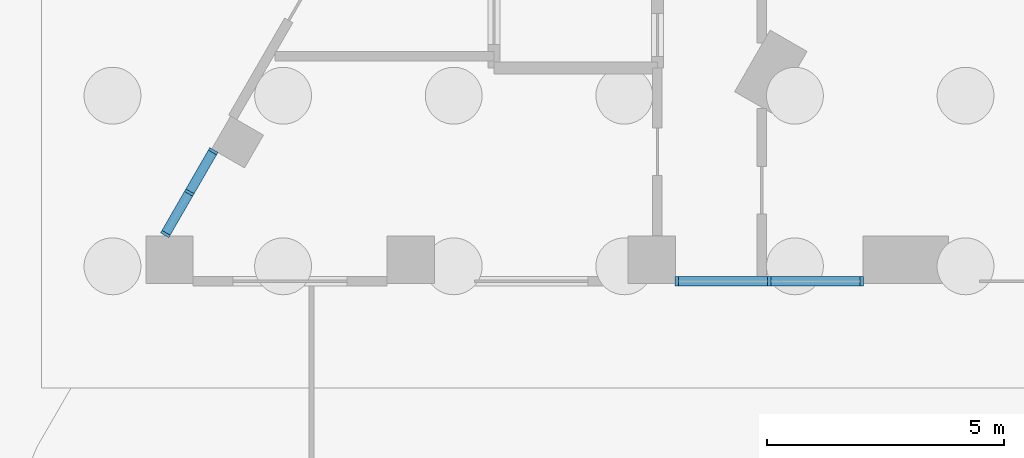
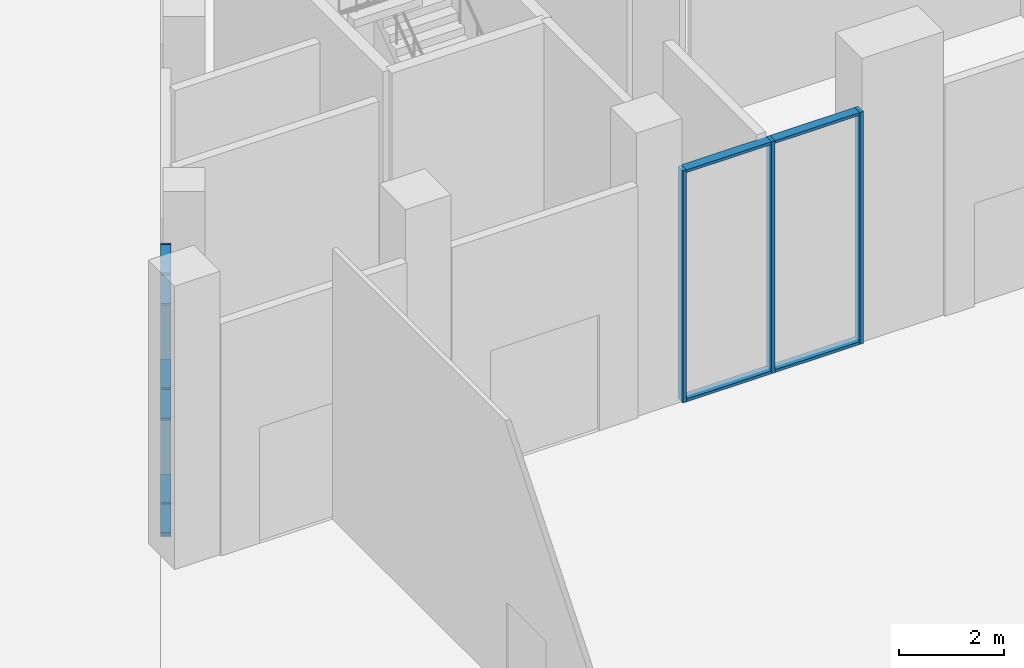
# One storey, part 12 of 44: 16 members, 2 elements without a shape of their own.
"""IFC4 building model written with IfcOpenShell, lengths in metres."""

from ifc_helpers import new_model, si_unit, direction, frame, origin, origin_2d, place, context, subcontext, project, spatial, rectangle, extrude, material, layer, layer_set, material_profile, profile_set, type_object, element, aggregate, save


model = new_model("IFC4")

# Units and contexts
model_context = context("Model", 3, precision=1e-05, world=origin(), true_north=direction((0.0, 1.0)))
body_context = subcontext(model_context, "Body", "Model", "MODEL_VIEW")
ifc_project = project(units=[si_unit("LENGTHUNIT", "METRE"), si_unit("AREAUNIT", "SQUARE_METRE"), si_unit("VOLUMEUNIT", "CUBIC_METRE"), si_unit("PLANEANGLEUNIT", "RADIAN"), si_unit("MASSUNIT", "GRAM", prefix="KILO")], contexts=[model_context])

# Site, building, storey
site_placement = place(None, origin())
site = spatial("IfcSite", under=ifc_project, at=site_placement, CompositionType="ELEMENT")
building_placement = place(site_placement, origin())
building = spatial("IfcBuilding", under=site, at=building_placement, Name="Nakaniwa Court", CompositionType="ELEMENT")
storey_placement = place(building_placement, origin())
storey = spatial("IfcBuildingStorey", under=building, at=storey_placement, Name="L00", CompositionType="ELEMENT", Elevation=0.0)

# Curtain wall, members
ifc_material_1 = material(Name="Black anodised aluminium frame with dark low-E laminated double glazing", Category="aluminium")
ifc_layer_1 = layer(ifc_material_1, 0.199951171875)
ifc_layer_set_1 = layer_set([ifc_layer_1], Name="Black anodised aluminium frame with dark low-E laminated double glazing")
curtain_wall_type_1 = type_object("IfcCurtainWallType", Name="Concourse stick curtain wall", PredefinedType="NOTDEFINED", material=ifc_layer_set_1)
curtain_wall_1_placement = place(storey_placement, origin())
curtain_wall_1 = element("IfcCurtainWall", 1, at=curtain_wall_1_placement, inside=storey, type_object=curtain_wall_type_1, Name="L00 curtain wall CW2 30", PredefinedType="NOTDEFINED")
ifc_material_2 = material(Name="Black anodised aluminium extrusion", Category="aluminium")
ifc_material_profile_1 = material_profile(ifc_material_2, rectangle(XDim=0.199951171875, YDim=0.06005859375, at=origin_2d()), Name="Concourse stick curtain wall mullion 60x200")
ifc_profile_set_1 = profile_set([ifc_material_profile_1], Name="Black anodised aluminium extrusion")
member_type_1 = type_object("IfcMemberType", Name="Concourse stick curtain wall mullion 60x200", PredefinedType="MULLION", material=ifc_profile_set_1)
member_1_placement = place(storey_placement, frame((47.924560546875, 90.243896484375, 0.0), z_axis=(0.0, 0.0, 1.0), x_axis=(0.866035619435, -0.499982305557, 0.0)))
member_1 = element("IfcMember", 2, at=member_1_placement, type_object=member_type_1, Name="CW2 mullion 1", PredefinedType="MULLION", context=body_context, shape_type="SweptSolid", body=[
    extrude(rectangle(XDim=0.199951171875, YDim=0.06005859375, at=origin_2d()), origin(), (0.0, 0.0, 1.0), 5.39990234375),
])
member_2_placement = place(storey_placement, frame((47.42041015625, 89.37060546875, 0.0), z_axis=(0.0, 0.0, 1.0), x_axis=(0.866035619435, -0.499982305557, 0.0)))
member_2 = element("IfcMember", 3, at=member_2_placement, type_object=member_type_1, Name="CW2 mullion 2", PredefinedType="MULLION", context=body_context, shape_type="SweptSolid", body=[
    extrude(rectangle(XDim=0.199951171875, YDim=0.06005859375, at=origin_2d()), origin(), (0.0, 0.0, 1.0), 5.39990234375),
])
member_3_placement = place(storey_placement, frame((46.91650390625, 88.49755859375, 0.0), z_axis=(0.0, 0.0, 1.0), x_axis=(0.866035619435, -0.499982305557, 0.0)))
member_3 = element("IfcMember", 4, at=member_3_placement, type_object=member_type_1, Name="CW2 mullion 3", PredefinedType="MULLION", context=body_context, shape_type="SweptSolid", body=[
    extrude(rectangle(XDim=0.199951171875, YDim=0.06005859375, at=origin_2d()), origin(), (0.0, 0.0, 1.0), 5.39990234375),
])
ifc_material_profile_2 = material_profile(ifc_material_2, rectangle(XDim=0.199951171875, YDim=0.06005859375, at=origin_2d()), Name="Concourse stick curtain wall transom 60x200")
ifc_profile_set_2 = profile_set([ifc_material_profile_2], Name="Black anodised aluminium extrusion")
member_type_2 = type_object("IfcMemberType", Name="Concourse stick curtain wall transom 60x200", PredefinedType="USERDEFINED", material=ifc_profile_set_2)
member_4_placement = place(storey_placement, frame((47.90966796875, 90.2177734375, 0.030029296875), z_axis=(-0.500071657253, -0.865984028497, 0.0), x_axis=(0.865984028497, -0.500071657253, 0.0)))
member_4 = element("IfcMember", 5, at=member_4_placement, type_object=member_type_2, Name="CW2 transom 1.1", ObjectType="TRANSOM", PredefinedType="USERDEFINED", context=body_context, shape_type="SweptSolid", body=[
    extrude(rectangle(XDim=0.199951171875, YDim=0.06005859375, at=origin_2d()), origin(), (0.0, 0.0, 1.0), 0.947998046875),
])
member_5_placement = place(storey_placement, frame((47.90966796875, 90.2177734375, 2.699951171875), z_axis=(-0.500071657253, -0.865984028497, 0.0), x_axis=(0.865984028497, -0.500071657253, 0.0)))
member_5 = element("IfcMember", 6, at=member_5_placement, type_object=member_type_2, Name="CW2 transom 1.2", ObjectType="TRANSOM", PredefinedType="USERDEFINED", context=body_context, shape_type="SweptSolid", body=[
    extrude(rectangle(XDim=0.199951171875, YDim=0.06005859375, at=origin_2d()), origin(), (0.0, 0.0, 1.0), 0.947998046875),
])
member_6_placement = place(storey_placement, frame((47.90966796875, 90.2177734375, 5.3701171875), z_axis=(-0.500071657253, -0.865984028497, 0.0), x_axis=(0.865984028497, -0.500071657253, 0.0)))
member_6 = element("IfcMember", 7, at=member_6_placement, type_object=member_type_2, Name="CW2 transom 1.3", ObjectType="TRANSOM", PredefinedType="USERDEFINED", context=body_context, shape_type="SweptSolid", body=[
    extrude(rectangle(XDim=0.199951171875, YDim=0.06005859375, at=origin_2d()), origin(), (0.0, 0.0, 1.0), 0.947998046875),
])
member_7_placement = place(storey_placement, frame((47.405517578125, 89.3447265625, 0.030029296875), z_axis=(-0.499960165064, -0.866048401274, 0.0), x_axis=(0.866048401274, -0.499960165064, 0.0)))
member_7 = element("IfcMember", 8, at=member_7_placement, type_object=member_type_2, Name="CW2 transom 2.1", ObjectType="TRANSOM", PredefinedType="USERDEFINED", context=body_context, shape_type="SweptSolid", body=[
    extrude(rectangle(XDim=0.199951171875, YDim=0.06005859375, at=origin_2d()), origin(), (0.0, 0.0, 1.0), 0.9482421875),
])
member_8_placement = place(storey_placement, frame((47.405517578125, 89.3447265625, 2.699951171875), z_axis=(-0.499960165064, -0.866048401274, 0.0), x_axis=(0.866048401274, -0.499960165064, 0.0)))
member_8 = element("IfcMember", 9, at=member_8_placement, type_object=member_type_2, Name="CW2 transom 2.2", ObjectType="TRANSOM", PredefinedType="USERDEFINED", context=body_context, shape_type="SweptSolid", body=[
    extrude(rectangle(XDim=0.199951171875, YDim=0.06005859375, at=origin_2d()), origin(), (0.0, 0.0, 1.0), 0.9482421875),
])
member_9_placement = place(storey_placement, frame((47.405517578125, 89.3447265625, 5.3701171875), z_axis=(-0.499960165064, -0.866048401274, 0.0), x_axis=(0.866048401274, -0.499960165064, 0.0)))
member_9 = element("IfcMember", 10, at=member_9_placement, type_object=member_type_2, Name="CW2 transom 2.3", ObjectType="TRANSOM", PredefinedType="USERDEFINED", context=body_context, shape_type="SweptSolid", body=[
    extrude(rectangle(XDim=0.199951171875, YDim=0.06005859375, at=origin_2d()), origin(), (0.0, 0.0, 1.0), 0.9482421875),
])
aggregate(curtain_wall_1, [member_1, member_2, member_3, member_4, member_5, member_6, member_7, member_8, member_9])

ifc_layer_2 = layer(ifc_material_1, 0.199951171875)
ifc_layer_set_2 = layer_set([ifc_layer_2], Name="Black anodised aluminium frame with dark low-E laminated double glazing")
curtain_wall_type_2 = type_object("IfcCurtainWallType", Name="Portal side curtain wall", PredefinedType="NOTDEFINED", material=ifc_layer_set_2)
curtain_wall_2_placement = place(storey_placement, origin())
curtain_wall_2 = element("IfcCurtainWall", 11, at=curtain_wall_2_placement, inside=storey, type_object=curtain_wall_type_2, Name="L00 curtain wall CW5 33", PredefinedType="NOTDEFINED")
ifc_material_profile_3 = material_profile(ifc_material_2, rectangle(XDim=0.199951171875, YDim=0.074951171875, at=origin_2d()), Name="Portal side curtain wall mullion 75x200")
ifc_profile_set_3 = profile_set([ifc_material_profile_3], Name="Black anodised aluminium extrusion")
member_type_3 = type_object("IfcMemberType", Name="Portal side curtain wall mullion 75x200", PredefinedType="MULLION", material=ifc_profile_set_3)
member_10_placement = place(storey_placement, frame((57.71044921875, 87.5, 0.0), z_axis=(0.0, 0.0, 1.0), x_axis=(0.0, 1.0, 0.0)))
member_10 = element("IfcMember", 12, at=member_10_placement, type_object=member_type_3, Name="CW5 mullion 1", PredefinedType="MULLION", context=body_context, shape_type="SweptSolid", body=[
    extrude(rectangle(XDim=0.199951171875, YDim=0.074951171875, at=origin_2d()), origin(), (0.0, 0.0, 1.0), 5.39990234375),
])
member_11_placement = place(storey_placement, frame((59.659423828125, 87.5, 0.0), z_axis=(0.0, 0.0, 1.0), x_axis=(0.0, 1.0, 0.0)))
member_11 = element("IfcMember", 13, at=member_11_placement, type_object=member_type_3, Name="CW5 mullion 2", PredefinedType="MULLION", context=body_context, shape_type="SweptSolid", body=[
    extrude(rectangle(XDim=0.199951171875, YDim=0.074951171875, at=origin_2d()), origin(), (0.0, 0.0, 1.0), 5.39990234375),
])
member_12_placement = place(storey_placement, frame((61.6083984375, 87.5, 0.0), z_axis=(0.0, 0.0, 1.0), x_axis=(0.0, 1.0, 0.0)))
member_12 = element("IfcMember", 14, at=member_12_placement, type_object=member_type_3, Name="CW5 mullion 3", PredefinedType="MULLION", context=body_context, shape_type="SweptSolid", body=[
    extrude(rectangle(XDim=0.199951171875, YDim=0.074951171875, at=origin_2d()), origin(), (0.0, 0.0, 1.0), 5.39990234375),
])
ifc_material_profile_4 = material_profile(ifc_material_2, rectangle(XDim=0.199951171875, YDim=0.06494140625, at=origin_2d()), Name="Portal side curtain wall transom 65x200")
ifc_profile_set_4 = profile_set([ifc_material_profile_4], Name="Black anodised aluminium extrusion")
member_type_4 = type_object("IfcMemberType", Name="Portal side curtain wall transom 65x200", PredefinedType="USERDEFINED", material=ifc_profile_set_4)
member_13_placement = place(storey_placement, frame((57.748046875, 87.5, 0.032470703125), z_axis=(1.0, 0.0, 0.0), x_axis=(0.0, 1.0, 0.0)))
member_13 = element("IfcMember", 15, at=member_13_placement, type_object=member_type_4, Name="CW5 transom 1.1", ObjectType="TRANSOM", PredefinedType="USERDEFINED", context=body_context, shape_type="SweptSolid", body=[
    extrude(rectangle(XDim=0.199951171875, YDim=0.06494140625, at=origin_2d()), origin(), (0.0, 0.0, 1.0), 1.8740234375),
])
member_14_placement = place(storey_placement, frame((57.748046875, 87.5, 5.367431640625), z_axis=(1.0, 0.0, 0.0), x_axis=(0.0, 1.0, 0.0)))
member_14 = element("IfcMember", 16, at=member_14_placement, type_object=member_type_4, Name="CW5 transom 1.2", ObjectType="TRANSOM", PredefinedType="USERDEFINED", context=body_context, shape_type="SweptSolid", body=[
    extrude(rectangle(XDim=0.199951171875, YDim=0.06494140625, at=origin_2d()), origin(), (0.0, 0.0, 1.0), 1.8740234375),
])
member_15_placement = place(storey_placement, frame((59.697021484375, 87.5, 0.032470703125), z_axis=(1.0, 0.0, 0.0), x_axis=(0.0, 1.0, 0.0)))
member_15 = element("IfcMember", 17, at=member_15_placement, type_object=member_type_4, Name="CW5 transom 2.1", ObjectType="TRANSOM", PredefinedType="USERDEFINED", context=body_context, shape_type="SweptSolid", body=[
    extrude(rectangle(XDim=0.199951171875, YDim=0.06494140625, at=origin_2d()), origin(), (0.0, 0.0, 1.0), 1.8740234375),
])
member_16_placement = place(storey_placement, frame((59.697021484375, 87.5, 5.367431640625), z_axis=(1.0, 0.0, 0.0), x_axis=(0.0, 1.0, 0.0)))
member_16 = element("IfcMember", 18, at=member_16_placement, type_object=member_type_4, Name="CW5 transom 2.2", ObjectType="TRANSOM", PredefinedType="USERDEFINED", context=body_context, shape_type="SweptSolid", body=[
    extrude(rectangle(XDim=0.199951171875, YDim=0.06494140625, at=origin_2d()), origin(), (0.0, 0.0, 1.0), 1.8740234375),
])
aggregate(curtain_wall_2, [member_10, member_11, member_12, member_13, member_14, member_15, member_16])

save(model, "model.ifc")
